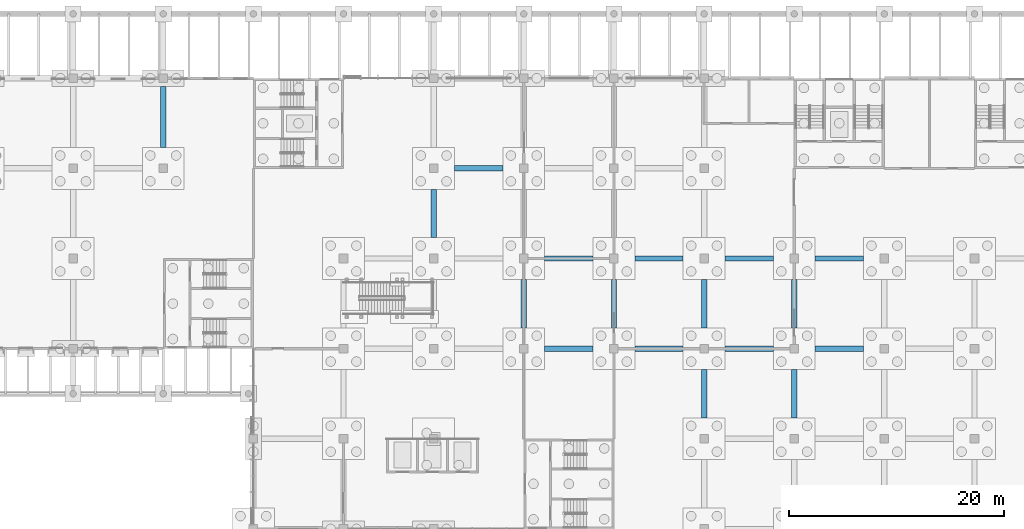
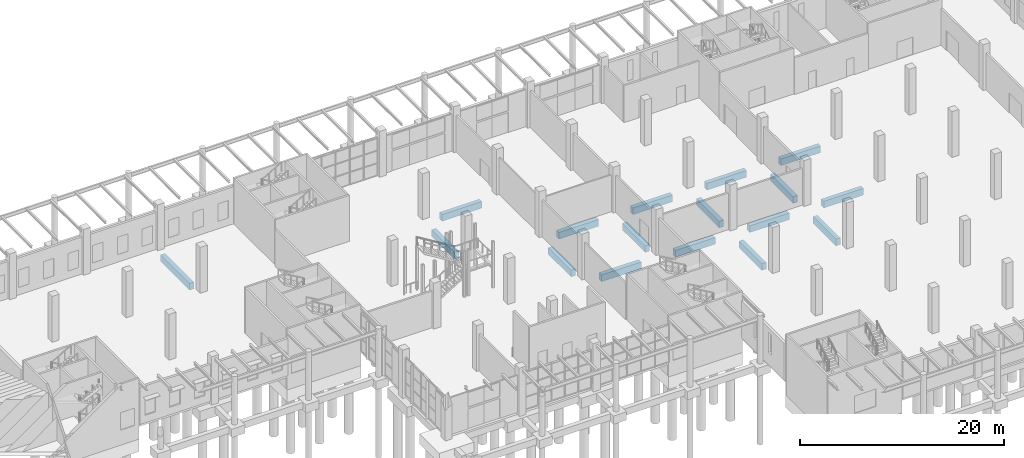
# One storey, part 17 of 82: 17 beams.
"""IFC4 building model written with IfcOpenShell, lengths in metres."""

from ifc_helpers import new_model, si_unit, direction, frame, origin, origin_2d, place, context, subcontext, project, spatial, rectangle, extrude, material, material_profile, profile_set, type_object, element, save


model = new_model("IFC4")

# Units and contexts
model_context = context("Model", 3, precision=1e-05, world=origin(), true_north=direction((0.0, 1.0)))
body_context = subcontext(model_context, "Body", "Model", "MODEL_VIEW")
ifc_project = project(units=[si_unit("LENGTHUNIT", "METRE"), si_unit("AREAUNIT", "SQUARE_METRE"), si_unit("VOLUMEUNIT", "CUBIC_METRE"), si_unit("PLANEANGLEUNIT", "RADIAN"), si_unit("MASSUNIT", "GRAM", prefix="KILO")], contexts=[model_context])

# Site, building, storey
site_placement = place(None, origin())
site = spatial("IfcSite", under=ifc_project, at=site_placement, CompositionType="ELEMENT")
building_placement = place(site_placement, origin())
building = spatial("IfcBuilding", under=site, at=building_placement, Name="Almond Square Museum", CompositionType="ELEMENT")
storey_placement = place(building_placement, origin())
storey = spatial("IfcBuildingStorey", under=building, at=storey_placement, Name="L00", CompositionType="ELEMENT", Elevation=0.0)

# Beams
ifc_material = material(Name="Concrete C35/45", Category="concrete")
ifc_material_profile = material_profile(ifc_material, rectangle(XDim=0.5, YDim=0.800048828125, at=origin_2d()))
ifc_profile_set = profile_set([ifc_material_profile], Name="Concrete C35/45")
beam_type = type_object("IfcBeamType", Name="RC ground beam 500 x 800 C35/45", PredefinedType="BEAM", material=ifc_profile_set)
for number, where, z_axis, x_axis, name in (
    (1, (100.35009765625, 84.0, -0.699951171875), (1.0, 0.0, 0.0), (0.0, 1.0, 0.0), "Ground beam 108"),
    (2, (108.75, 84.0, -0.699951171875), (1.0, 0.0, 0.0), (0.0, 1.0, 0.0), "Ground beam 109"),
    (3, (117.14990234375, 84.0, -0.699951171875), (1.0, 0.0, 0.0), (0.0, 1.0, 0.0), "Ground beam 110"),
    (4, (125.550048828125, 84.0, -0.699951171875), (1.0, 0.0, 0.0), (0.0, 1.0, 0.0), "Ground beam 111"),
    (5, (100.35009765625, 92.39990234375, -0.699951171875), (1.0, 0.0, 0.0), (0.0, 1.0, 0.0), "Ground beam 116"),
    (6, (108.75, 92.39990234375, -0.699951171875), (1.0, 0.0, 0.0), (0.0, 1.0, 0.0), "Ground beam 117"),
    (7, (117.14990234375, 92.39990234375, -0.699951171875), (1.0, 0.0, 0.0), (0.0, 1.0, 0.0), "Ground beam 118"),
    (8, (125.550048828125, 92.39990234375, -0.699951171875), (1.0, 0.0, 0.0), (0.0, 1.0, 0.0), "Ground beam 119"),
    (9, (91.949951171875, 100.800048828125, -0.699951171875), (1.0, 0.0, 0.0), (0.0, 1.0, 0.0), "Ground beam 128"),
):
    element("IfcBeam", number, at=place(storey_placement, frame(where, z_axis=z_axis, x_axis=x_axis)), inside=storey, type_object=beam_type, Name=name, PredefinedType="BEAM", context=body_context, shape_type="SweptSolid", body=[
        extrude(rectangle(XDim=0.5, YDim=0.800048828125, at=origin_2d()), origin(), (0.0, 0.0, 1.0), 4.5),
    ])
beam_placement = place(storey_placement, frame((64.800048828125, 102.75, -0.699951171875), z_axis=(0.0, 1.0, 0.0), x_axis=(-1.0, 0.0, 0.0)))
element("IfcBeam", 10, at=beam_placement, inside=storey, type_object=beam_type, Name="Ground beam 224", PredefinedType="BEAM", context=body_context, shape_type="SweptSolid", body=[
    extrude(rectangle(XDim=0.5, YDim=0.800048828125, at=origin_2d()), origin(), (0.0, 0.0, 1.0), 5.699951171875),
])
for number, where, z_axis, x_axis, name in (
    (11, (90.0, 94.35009765625, -0.699951171875), (0.0, 1.0, 0.0), (-1.0, 0.0, 0.0), "Ground beam 242"),
    (12, (98.39990234375, 85.949951171875, -0.699951171875), (0.0, 1.0, 0.0), (-1.0, 0.0, 0.0), "Ground beam 247"),
    (13, (106.800048828125, 85.949951171875, -0.699951171875), (0.0, 1.0, 0.0), (-1.0, 0.0, 0.0), "Ground beam 254"),
    (14, (115.199951171875, 77.550048828125, -0.699951171875), (0.0, 1.0, 0.0), (-1.0, 0.0, 0.0), "Ground beam 262"),
    (15, (115.199951171875, 85.949951171875, -0.699951171875), (0.0, 1.0, 0.0), (-1.0, 0.0, 0.0), "Ground beam 263"),
    (16, (123.60009765625, 77.550048828125, -0.699951171875), (0.0, 1.0, 0.0), (-1.0, 0.0, 0.0), "Ground beam 271"),
    (17, (123.60009765625, 85.949951171875, -0.699951171875), (0.0, 1.0, 0.0), (-1.0, 0.0, 0.0), "Ground beam 272"),
):
    element("IfcBeam", number, at=place(storey_placement, frame(where, z_axis=z_axis, x_axis=x_axis)), inside=storey, type_object=beam_type, Name=name, PredefinedType="BEAM", context=body_context, shape_type="SweptSolid", body=[
        extrude(rectangle(XDim=0.5, YDim=0.800048828125, at=origin_2d()), origin(), (0.0, 0.0, 1.0), 4.5),
    ])

save(model, "model.ifc")
